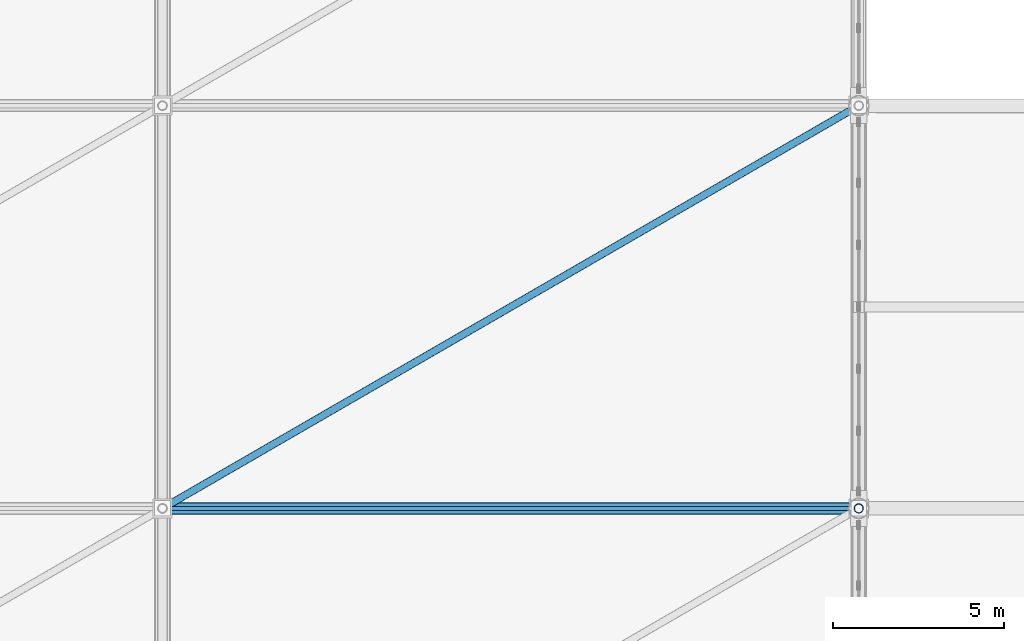
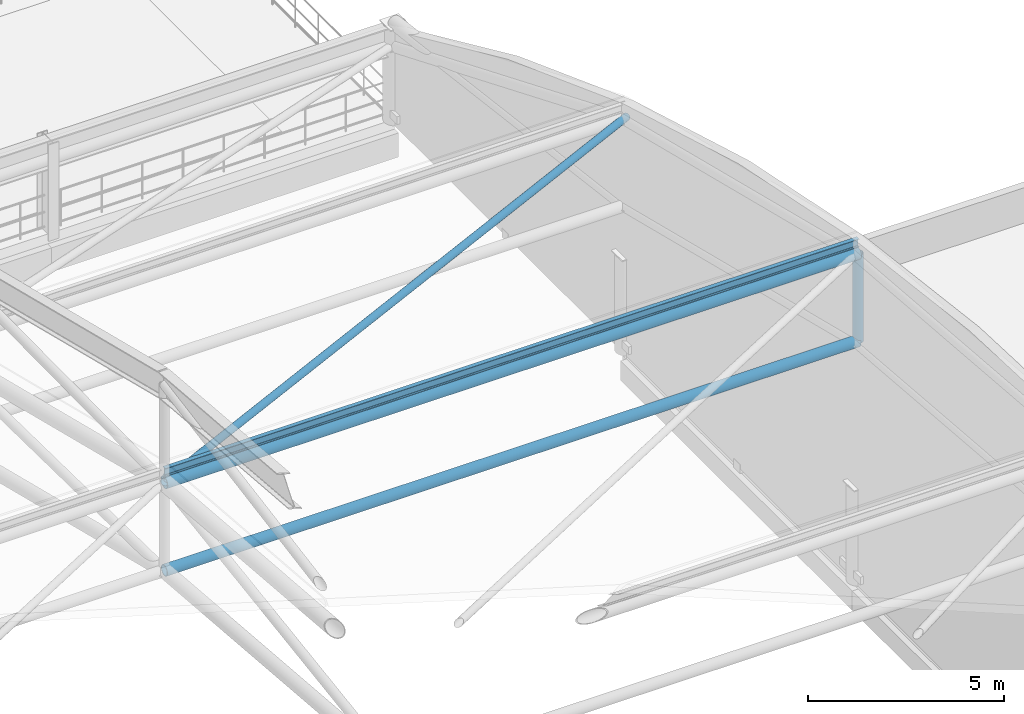
# One storey, part 61 of 135: 5 members.
"""IFC4 building model written with IfcOpenShell, lengths in metres."""

from ifc_helpers import new_model, si_unit, direction, frame, origin, origin_2d, place, context, subcontext, project, spatial, hollow_circle, i_section, extrude, material, material_profile, profile_set, type_object, element, save


model = new_model("IFC4")

# Units and contexts
model_context = context("Model", 3, precision=1e-05, world=origin(), true_north=direction((0.0, 1.0)))
body_context = subcontext(model_context, "Body", "Model", "MODEL_VIEW")
ifc_project = project(units=[si_unit("LENGTHUNIT", "METRE"), si_unit("AREAUNIT", "SQUARE_METRE"), si_unit("VOLUMEUNIT", "CUBIC_METRE"), si_unit("PLANEANGLEUNIT", "RADIAN"), si_unit("MASSUNIT", "GRAM", prefix="KILO")], contexts=[model_context])

# Site, building, storey
site_placement = place(None, origin())
site = spatial("IfcSite", under=ifc_project, at=site_placement, CompositionType="ELEMENT")
building_placement = place(site_placement, origin())
building = spatial("IfcBuilding", under=site, at=building_placement, Name="Brelvane Convention Centre", CompositionType="ELEMENT")
storey_placement = place(building_placement, frame((0.0, 0.0, 15.0)))
storey = spatial("IfcBuildingStorey", under=building, at=storey_placement, Name="L03", CompositionType="ELEMENT", Elevation=15.0)

# Members
ifc_material_1 = material(Name="Steel E350 (350 MPa)", Category="steel")
ifc_material_profile_1 = material_profile(ifc_material_1, hollow_circle(Radius=0.109619140625, WallThickness=0.010009765625, at=origin_2d()), Name="CHS 219.1x10.0")
ifc_profile_set_1 = profile_set([ifc_material_profile_1], Name="Steel E350 (350 MPa)")
member_type_1 = type_object("IfcMemberType", Name="Steel Brace SF-DG2 (CHS 219.1x10.0)", PredefinedType="BRACE", material=ifc_profile_set_1)
member_1_placement = place(storey_placement, frame((122.39990234375, 76.0, 10.162109375), z_axis=(0.858993332248, 0.496867180406, -0.123504899456), x_axis=(-0.500700562715, 0.865620555727, 0.0)))
element("IfcMember", 1, at=member_1_placement, inside=storey, type_object=member_type_1, Name="SF_EXH Roof Diaphragm Brace PB7.5", PredefinedType="BRACE", context=body_context, shape_type="SweptSolid", body=[
    extrude(hollow_circle(Radius=0.109619140625, WallThickness=0.010009765625, at=origin_2d()), origin(), (0.0, 0.0, 1.0), 23.748779296875),
])
ifc_material_2 = material(Name="Steel E350 (350 MPa)", Category="steel")
ifc_material_profile_2 = material_profile(ifc_material_2, hollow_circle(Radius=0.161865234375, WallThickness=0.012451171875, at=origin_2d()), Name="CHS 323.9x12.5")
ifc_profile_set_2 = profile_set([ifc_material_profile_2], Name="Steel E350 (350 MPa)")
member_type_2 = type_object("IfcMemberType", Name="Steel Chord SF-BC2 (CHS 323.9x12.5)", PredefinedType="CHORD", material=ifc_profile_set_2)
member_2_placement = place(storey_placement, frame((122.39990234375, 76.0, 7.422119140625), z_axis=(1.0, 0.0, 0.0), x_axis=(0.0, 1.0, 0.0)))
element("IfcMember", 2, at=member_2_placement, inside=storey, type_object=member_type_2, Name="SF_EXH Longitudinal Bottom Chord LB7.5", PredefinedType="CHORD", context=body_context, shape_type="SweptSolid", body=[
    extrude(hollow_circle(Radius=0.161865234375, WallThickness=0.012451171875, at=origin_2d()), origin(), (0.0, 0.0, 1.0), 20.400146484375),
])
ifc_material_3 = material(Name="Steel E450 (450 MPa)", Category="steel")
ifc_material_profile_3 = material_profile(ifc_material_3, hollow_circle(Radius=0.177734375, WallThickness=0.01611328125, at=origin_2d()), Name="CHS 355.6x16.0")
ifc_profile_set_3 = profile_set([ifc_material_profile_3], Name="Steel E450 (450 MPa)")
member_type_3 = type_object("IfcMemberType", Name="Steel Chord SF-TC2 (CHS 355.6x16.0)", PredefinedType="CHORD", material=ifc_profile_set_3)
member_3_placement = place(storey_placement, frame((122.39990234375, 76.0, 10.162109375), z_axis=(1.0, 0.0, 0.0), x_axis=(0.0, 1.0, 0.0)))
element("IfcMember", 3, at=member_3_placement, inside=storey, type_object=member_type_3, Name="SF_EXH Longitudinal Top Chord LT7.5", PredefinedType="CHORD", context=body_context, shape_type="SweptSolid", body=[
    extrude(hollow_circle(Radius=0.177734375, WallThickness=0.01611328125, at=origin_2d()), origin(), (0.0, 0.0, 1.0), 20.400146484375),
])
ifc_material_4 = material(Name="Steel E350 (350 MPa)", Category="steel")
ifc_material_profile_4 = material_profile(ifc_material_4, i_section(OverallWidth=0.125, OverallDepth=0.25, WebThickness=0.0068359375, FlangeThickness=0.012451171875, FilletRadius=0.012939453125, at=origin_2d()), Name="ISMB 250")
ifc_profile_set_4 = profile_set([ifc_material_profile_4], Name="Steel E350 (350 MPa)")
member_type_4 = type_object("IfcMemberType", Name="Steel Purlin PR-ST1 (ISMB 250)", PredefinedType="PURLIN", material=ifc_profile_set_4)
member_4_placement = place(storey_placement, frame((122.39990234375, 76.0, 10.497314453125), z_axis=(1.0, 0.0, 0.0), x_axis=(0.0, 1.0, 0.0)))
element("IfcMember", 4, at=member_4_placement, inside=storey, type_object=member_type_4, Name="SF_EXH Roof Purlin P7.5", PredefinedType="PURLIN", context=body_context, shape_type="SweptSolid", body=[
    extrude(i_section(OverallWidth=0.125, OverallDepth=0.25, WebThickness=0.0068359375, FlangeThickness=0.012451171875, FilletRadius=0.012939453125, at=origin_2d()), origin(), (0.0, 0.0, 1.0), 20.400146484375),
])
ifc_material_5 = material(Name="Steel E350 (350 MPa)", Category="steel")
ifc_material_profile_5 = material_profile(ifc_material_5, hollow_circle(Radius=0.136474609375, WallThickness=0.012451171875, at=origin_2d()), Name="CHS 273.0x12.5")
ifc_profile_set_5 = profile_set([ifc_material_profile_5], Name="Steel E350 (350 MPa)")
member_type_5 = type_object("IfcMemberType", Name="Steel Strut SF-VT1 (CHS 273.0x12.5)", PredefinedType="STRUT", material=ifc_profile_set_5)
member_5_placement = place(storey_placement, frame((142.800048828125, 76.0, 7.422119140625), z_axis=(0.0, 0.0, 1.0), x_axis=(1.0, 0.0, 0.0)))
element("IfcMember", 5, at=member_5_placement, inside=storey, type_object=member_type_5, Name="SF_EXH Space-Frame Post V8.4", PredefinedType="STRUT", context=body_context, shape_type="SweptSolid", body=[
    extrude(hollow_circle(Radius=0.136474609375, WallThickness=0.012451171875, at=origin_2d()), origin(), (0.0, 0.0, 1.0), 2.739990234375),
])

save(model, "model.ifc")
